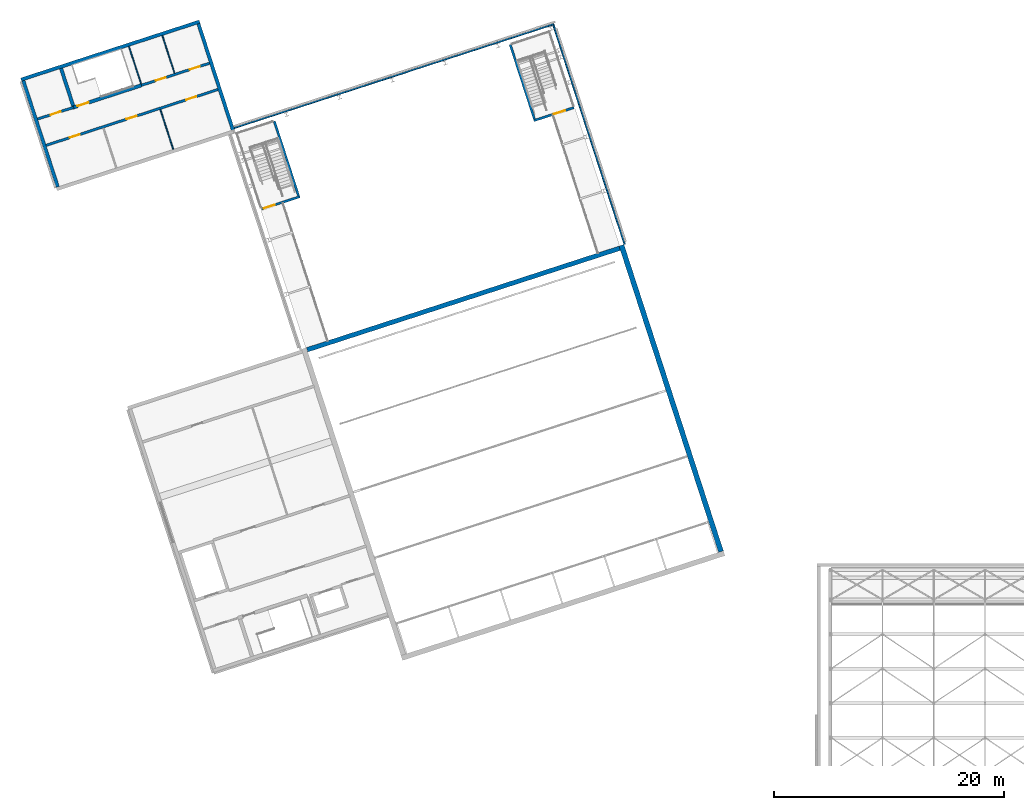
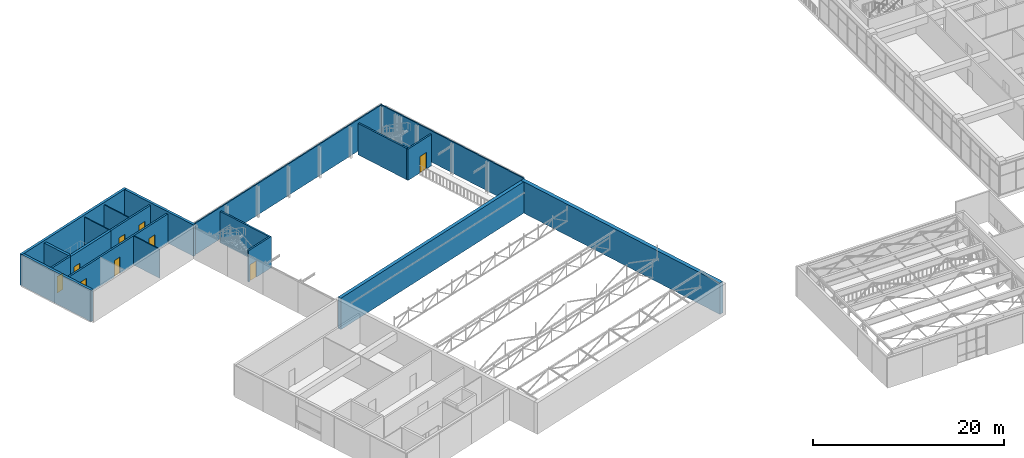
# One storey, part 72 of 81: 19 walls, 9 doors, 9 openings.
"""IFC4 building model written with IfcOpenShell, lengths in metres."""

from ifc_helpers import new_model, si_unit, direction, frame, frame_2d, origin, place, context, subcontext, project, spatial, rectangle, extrude, material, layer, layer_set, type_object, element, fill, save


model = new_model("IFC4")

# Units and contexts
model_context = context("Model", 3, precision=1e-05, world=origin(), true_north=direction((0.0, 1.0)))
body_context = subcontext(model_context, "Body", "Model", "MODEL_VIEW")
ifc_project = project(units=[si_unit("LENGTHUNIT", "METRE"), si_unit("AREAUNIT", "SQUARE_METRE"), si_unit("VOLUMEUNIT", "CUBIC_METRE"), si_unit("PLANEANGLEUNIT", "RADIAN"), si_unit("MASSUNIT", "GRAM", prefix="KILO")], contexts=[model_context])

# Site, building, storey
site_placement = place(None, origin())
site = spatial("IfcSite", under=ifc_project, at=site_placement, CompositionType="ELEMENT")
building_placement = place(site_placement, origin())
building = spatial("IfcBuilding", under=site, at=building_placement, Name="Tuart Plaza Theatre", CompositionType="ELEMENT")
storey_placement = place(building_placement, frame((0.0, 0.0, 17.5)))
storey = spatial("IfcBuildingStorey", under=building, at=storey_placement, Name="L04", CompositionType="ELEMENT", Elevation=17.5)

# Walls
ifc_material_1 = material(Name="Plasterboard on steel stud", Category="steel")
ifc_layer_1 = layer(ifc_material_1, 0.10009765625)
ifc_layer_set_1 = layer_set([ifc_layer_1], Name="PARTITION STD100")
wall_type_1 = type_object("IfcWallType", Name="PARTITION STD100", PredefinedType="PARTITIONING", material=ifc_layer_set_1)
wall_1_placement = place(storey_placement, frame((29.9375, 86.109130859375, 0.0), z_axis=(0.0, 0.0, 1.0), x_axis=(-0.308995076085, 0.9510636377, 0.0)))
element("IfcWall", 1, at=wall_1_placement, inside=storey, type_object=wall_type_1, Name="P283", PredefinedType="PARTITIONING", context=body_context, shape_type="SweptSolid", body=[
    extrude(rectangle(XDim=3.64013671875, YDim=0.10009765625, at=frame_2d((1.820068359375, 0.0))), origin(), (0.0, 0.0, 1.0), 3.699951171875),
])
wall_2_placement = place(storey_placement, frame((30.0478515625, 92.727294921875, 0.0), z_axis=(0.0, 0.0, 1.0), x_axis=(-0.309021877853, 0.951054929543, 0.0)))
element("IfcWall", 2, at=wall_2_placement, inside=storey, type_object=wall_type_1, Name="P284", PredefinedType="PARTITIONING", context=body_context, shape_type="SweptSolid", body=[
    extrude(rectangle(XDim=3.43994140625, YDim=0.10009765625, at=frame_2d((1.719970703125, 0.0))), origin(), (0.0, 0.0, 1.0), 3.699951171875),
])
ifc_material_2 = material(Name="Plasterboard on steel stud", Category="steel")
ifc_layer_2 = layer(ifc_material_2, 0.10009765625)
ifc_layer_set_2 = layer_set([ifc_layer_2], Name="PARTITION STD100 FRL 120/120/120")
wall_type_2 = type_object("IfcWallType", Name="PARTITION STD100 FRL 120/120/120", PredefinedType="PARTITIONING", material=ifc_layer_set_2)
wall_3_placement = place(storey_placement, frame((27.134765625, 91.82275390625, 0.0), z_axis=(0.0, 0.0, 1.0), x_axis=(-0.308980533303, 0.951068362443, 0.0)))
element("IfcWall", 3, at=wall_3_placement, inside=storey, type_object=wall_type_2, Name="P281", PredefinedType="PARTITIONING", context=body_context, shape_type="SweptSolid", body=[
    extrude(rectangle(XDim=3.39990234375, YDim=0.10009765625, at=frame_2d((1.699951171875, 0.0))), origin(), (0.0, 0.0, 1.0), 3.699951171875),
])
ifc_material_3 = material(Name="Concrete N50 (50 MPa)", Category="concrete")
ifc_layer_3 = layer(ifc_material_3, 0.39990234375)
ifc_layer_set_3 = layer_set([ifc_layer_3], Name="SHEAR WALL RC400 N50 FRL 120/120/120")
wall_type_3 = type_object("IfcWallType", Name="SHEAR WALL RC400 N50 FRL 120/120/120", PredefinedType="SHEAR", material=ifc_layer_set_3)
wall_4_placement = place(storey_placement, frame((41.5615234375, 68.69921875, 0.0), z_axis=(0.0, 0.0, 1.0), x_axis=(0.951058008754, 0.309012401021, 0.0)))
element("IfcWall", 4, at=wall_4_placement, inside=storey, type_object=wall_type_3, Name="W56", PredefinedType="SHEAR", context=body_context, shape_type="SweptSolid", body=[
    extrude(rectangle(XDim=28.5498046875, YDim=0.39990234375, at=frame_2d((14.27490234375, 0.0))), origin(), (0.0, 0.0, 1.0), 4.0),
])
ifc_material_4 = material(Name="Concrete N50 (50 MPa)", Category="concrete")
ifc_layer_4 = layer(ifc_material_4, 0.449951171875)
ifc_layer_set_4 = layer_set([ifc_layer_4], Name="SHEAR WALL RC450 N50 FRL 120/120/120")
wall_type_4 = type_object("IfcWallType", Name="SHEAR WALL RC450 N50 FRL 120/120/120", PredefinedType="SHEAR", material=ifc_layer_set_4)
wall_5_placement = place(storey_placement, frame((77.51123046875, 51.175537109375, 0.0), z_axis=(0.0, 0.0, 1.0), x_axis=(-0.309018780445, 0.951055935964, 0.0)))
element("IfcWall", 5, at=wall_5_placement, inside=storey, type_object=wall_type_4, Name="W38", PredefinedType="SHEAR", context=body_context, shape_type="SweptSolid", body=[
    extrude(rectangle(XDim=27.974853515625, YDim=0.449951171875, at=frame_2d((13.9873046875, 0.0))), origin(), (0.0, 0.0, 1.0), 4.0),
])

# Wall, opening, door
ifc_material_5 = material(Name="Concrete N40 (40 MPa)", Category="concrete")
ifc_layer_5 = layer(ifc_material_5, 0.199951171875)
ifc_layer_set_5 = layer_set([ifc_layer_5], Name="WALL RC200 LB FRL 120/120/120")
wall_type_5 = type_object("IfcWallType", Name="WALL RC200 LB FRL 120/120/120", PredefinedType="SOLIDWALL", material=ifc_layer_set_5)
wall_6_placement = place(storey_placement, frame((37.590576171875, 80.920166015625, 0.0), z_axis=(0.0, 0.0, 1.0), x_axis=(0.951052389726, 0.30902969436, 0.0)))
wall_6 = element("IfcWall", 6, at=wall_6_placement, inside=storey, type_object=wall_type_5, Name="W142", PredefinedType="SOLIDWALL", context=body_context, shape_type="SweptSolid", body=[
    extrude(rectangle(XDim=3.525146484375, YDim=0.199951171875, at=frame_2d((1.7626953125, 0.0))), origin(), (0.0, 0.0, 1.0), 4.0),
])
opening_1_placement = place(wall_6_placement, frame((0.22509765625, 0.0, 0.0)))
opening_1 = element("IfcOpeningElement", 7, at=opening_1_placement, cuts=wall_6, Name="Opening L04-020", PredefinedType="OPENING", context=body_context, shape_type="SweptSolid", body=[
    extrude(rectangle(XDim=1.0, YDim=2.10009765625, at=frame_2d((0.5, 1.050048828125))), frame((0.0, 0.10986328125, 0.0), z_axis=(0.0, -1.0, 0.0), x_axis=(1.0, 0.0, 0.0)), (0.0, 0.0, 1.0), 0.219970703125),
])
ifc_material_6 = material(Name="Timber", Category="wood")
door_type_1 = type_object("IfcDoorType", Name="DOOR 1000x2100 timber single swing FRL -/120/30", OperationType="SINGLE_SWING_LEFT", PredefinedType="DOOR", material=ifc_material_6)
door_1_placement = place(opening_1_placement, origin())
door_1 = element("IfcDoor", 8, at=door_1_placement, inside=storey, type_object=door_type_1, Name="L04-020", OperationType="SINGLE_SWING_LEFT", OverallHeight=2.10009765625, OverallWidth=1.0, PredefinedType="DOOR", context=body_context, shape_type="SweptSolid", body=[
    extrude(rectangle(XDim=1.0, YDim=2.10009765625, at=frame_2d((0.5, 1.050048828125))), frame((0.0, 0.02490234375, 0.0), z_axis=(0.0, -1.0, 0.0), x_axis=(1.0, 0.0, 0.0)), (0.0, 0.0, 1.0), 0.050048828125),
])
fill(opening_1, door_1)

# Wall
wall_7_placement = place(storey_placement, frame((40.817138671875, 82.07373046875, 0.0), z_axis=(0.0, 0.0, 1.0), x_axis=(-0.309028643499, 0.951052731186, 0.0)))
element("IfcWall", 9, at=wall_7_placement, inside=storey, type_object=wall_type_5, Name="W143", PredefinedType="SOLIDWALL", context=body_context, shape_type="SweptSolid", body=[
    extrude(rectangle(XDim=6.824951171875, YDim=0.199951171875, at=frame_2d((3.41259765625, 0.0))), origin(), (0.0, 0.0, 1.0), 4.0),
])

# Wall, opening, door
wall_8_placement = place(storey_placement, frame((64.743408203125, 89.74267578125, 0.0), z_axis=(0.0, 0.0, 1.0), x_axis=(-0.95104773735, -0.309044011885, 0.0)))
wall_8 = element("IfcWall", 10, at=wall_8_placement, inside=storey, type_object=wall_type_5, Name="W156", PredefinedType="SOLIDWALL", context=body_context, shape_type="SweptSolid", body=[
    extrude(rectangle(XDim=3.675048828125, YDim=0.199951171875, at=frame_2d((1.83740234375, 0.0))), origin(), (0.0, 0.0, 1.0), 4.0),
])
opening_2_placement = place(wall_8_placement, frame((0.824951171875, 0.0, 0.0)))
opening_2 = element("IfcOpeningElement", 11, at=opening_2_placement, cuts=wall_8, Name="Opening L04-021", PredefinedType="OPENING", context=body_context, shape_type="SweptSolid", body=[
    extrude(rectangle(XDim=1.0, YDim=2.10009765625, at=frame_2d((0.5, 1.050048828125))), frame((0.0, 0.10986328125, 0.0), z_axis=(0.0, -1.0, 0.0), x_axis=(1.0, 0.0, 0.0)), (0.0, 0.0, 1.0), 0.219970703125),
])
door_2_placement = place(opening_2_placement, frame((1.0, 0.0, 0.0), z_axis=(0.0, 0.0, 1.0), x_axis=(-1.0, 0.0, 0.0)))
door_2 = element("IfcDoor", 12, at=door_2_placement, inside=storey, type_object=door_type_1, Name="L04-021", OperationType="SINGLE_SWING_LEFT", OverallHeight=2.10009765625, OverallWidth=1.0, PredefinedType="DOOR", context=body_context, shape_type="SweptSolid", body=[
    extrude(rectangle(XDim=1.0, YDim=2.10009765625, at=frame_2d((0.5, 1.050048828125))), frame((0.0, 0.02490234375, 0.0), z_axis=(0.0, -1.0, 0.0), x_axis=(1.0, 0.0, 0.0)), (0.0, 0.0, 1.0), 0.050048828125),
])
fill(opening_2, door_2)

# Wall
wall_9_placement = place(storey_placement, frame((61.3125, 88.73291015625, 0.0), z_axis=(0.0, 0.0, 1.0), x_axis=(-0.309028643499, 0.951052731186, 0.0)))
element("IfcWall", 13, at=wall_9_placement, inside=storey, type_object=wall_type_5, Name="W157", PredefinedType="SOLIDWALL", context=body_context, shape_type="SweptSolid", body=[
    extrude(rectangle(XDim=6.824951171875, YDim=0.199951171875, at=frame_2d((3.41259765625, 0.0))), origin(), (0.0, 0.0, 1.0), 4.0),
])

# Wall, openings, doors
ifc_material_7 = material(Name="Concrete N40 (40 MPa)", Category="concrete")
ifc_layer_6 = layer(ifc_material_7, 0.219970703125)
ifc_layer_set_6 = layer_set([ifc_layer_6], Name="WALL RC220 LB FRL 120/120/120")
wall_type_6 = type_object("IfcWallType", Name="WALL RC220 LB FRL 120/120/120", PredefinedType="SOLIDWALL", material=ifc_layer_set_6)
wall_10_placement = place(storey_placement, frame((18.8876953125, 86.4619140625, 0.0), z_axis=(0.0, 0.0, 1.0), x_axis=(0.951056921306, 0.309015747878, 0.0)))
wall_10 = element("IfcWall", 14, at=wall_10_placement, inside=storey, type_object=wall_type_6, Name="W539", PredefinedType="SOLIDWALL", context=body_context, shape_type="SweptSolid", body=[
    extrude(rectangle(XDim=15.699951171875, YDim=0.219970703125, at=frame_2d((7.85009765625, 0.0))), origin(), (0.0, 0.0, 1.0), 3.699951171875),
])
opening_3_placement = place(wall_10_placement, frame((2.14990234375, 0.0, 0.0)))
opening_3 = element("IfcOpeningElement", 15, at=opening_3_placement, cuts=wall_10, Name="Opening L04-015", PredefinedType="OPENING", context=body_context, shape_type="SweptSolid", body=[
    extrude(rectangle(XDim=0.89990234375, YDim=2.10009765625, at=frame_2d((0.449951171875, 1.050048828125))), frame((0.0, 0.119873046875, 0.0), z_axis=(0.0, -1.0, 0.0), x_axis=(1.0, 0.0, 0.0)), (0.0, 0.0, 1.0), 0.239990234375),
])
opening_4_placement = place(wall_10_placement, frame((7.35009765625, 0.0, 0.0)))
opening_4 = element("IfcOpeningElement", 16, at=opening_4_placement, cuts=wall_10, Name="Opening L04-016", PredefinedType="OPENING", context=body_context, shape_type="SweptSolid", body=[
    extrude(rectangle(XDim=0.89990234375, YDim=2.10009765625, at=frame_2d((0.449951171875, 1.050048828125))), frame((0.0, 0.119873046875, 0.0), z_axis=(0.0, -1.0, 0.0), x_axis=(1.0, 0.0, 0.0)), (0.0, 0.0, 1.0), 0.239990234375),
])
opening_5_placement = place(wall_10_placement, frame((12.803955078125, 0.0, 0.0)))
opening_5 = element("IfcOpeningElement", 17, at=opening_5_placement, cuts=wall_10, Name="Opening L04-017", PredefinedType="OPENING", context=body_context, shape_type="SweptSolid", body=[
    extrude(rectangle(XDim=0.89990234375, YDim=2.10009765625, at=frame_2d((0.449951171875, 1.050048828125))), frame((0.0, 0.119873046875, 0.0), z_axis=(0.0, -1.0, 0.0), x_axis=(1.0, 0.0, 0.0)), (0.0, 0.0, 1.0), 0.239990234375),
])
ifc_material_8 = material(Name="Timber", Category="wood")
door_type_2 = type_object("IfcDoorType", Name="DOOR 900x2100 timber single swing FRL -/120/30", OperationType="SINGLE_SWING_LEFT", PredefinedType="DOOR", material=ifc_material_8)
door_3_placement = place(opening_3_placement, frame((0.89990234375, 0.0, 0.0), z_axis=(0.0, 0.0, 1.0), x_axis=(-1.0, 0.0, 0.0)))
door_3 = element("IfcDoor", 18, at=door_3_placement, inside=storey, type_object=door_type_2, Name="L04-015", OperationType="SINGLE_SWING_LEFT", OverallHeight=2.10009765625, OverallWidth=0.89990234375, PredefinedType="DOOR", context=body_context, shape_type="SweptSolid", body=[
    extrude(rectangle(XDim=0.89990234375, YDim=2.10009765625, at=frame_2d((0.449951171875, 1.050048828125))), frame((0.0, 0.02490234375, 0.0), z_axis=(0.0, -1.0, 0.0), x_axis=(1.0, 0.0, 0.0)), (0.0, 0.0, 1.0), 0.050048828125),
])
fill(opening_3, door_3)
door_4_placement = place(opening_4_placement, frame((0.89990234375, 0.0, 0.0), z_axis=(0.0, 0.0, 1.0), x_axis=(-1.0, 0.0, 0.0)))
door_4 = element("IfcDoor", 19, at=door_4_placement, inside=storey, type_object=door_type_2, Name="L04-016", OperationType="SINGLE_SWING_LEFT", OverallHeight=2.10009765625, OverallWidth=0.89990234375, PredefinedType="DOOR", context=body_context, shape_type="SweptSolid", body=[
    extrude(rectangle(XDim=0.89990234375, YDim=2.10009765625, at=frame_2d((0.449951171875, 1.050048828125))), frame((0.0, 0.02490234375, 0.0), z_axis=(0.0, -1.0, 0.0), x_axis=(1.0, 0.0, 0.0)), (0.0, 0.0, 1.0), 0.050048828125),
])
fill(opening_4, door_4)
door_5_placement = place(opening_5_placement, frame((0.89990234375, 0.0, 0.0), z_axis=(0.0, 0.0, 1.0), x_axis=(-1.0, 0.0, 0.0)))
door_5 = element("IfcDoor", 20, at=door_5_placement, inside=storey, type_object=door_type_2, Name="L04-017", OperationType="SINGLE_SWING_LEFT", OverallHeight=2.10009765625, OverallWidth=0.89990234375, PredefinedType="DOOR", context=body_context, shape_type="SweptSolid", body=[
    extrude(rectangle(XDim=0.89990234375, YDim=2.10009765625, at=frame_2d((0.449951171875, 1.050048828125))), frame((0.0, 0.02490234375, 0.0), z_axis=(0.0, -1.0, 0.0), x_axis=(1.0, 0.0, 0.0)), (0.0, 0.0, 1.0), 0.050048828125),
])
fill(opening_5, door_5)

# Wall, opening, door
wall_11_placement = place(storey_placement, frame((18.146240234375, 88.744384765625, 0.0), z_axis=(0.0, 0.0, 1.0), x_axis=(0.951053095941, 0.309027520945, 0.0)))
wall_11 = element("IfcWall", 21, at=wall_11_placement, inside=storey, type_object=wall_type_6, Name="W540", PredefinedType="SOLIDWALL", context=body_context, shape_type="SweptSolid", body=[
    extrude(rectangle(XDim=3.300048828125, YDim=0.219970703125, at=frame_2d((1.64990234375, 0.0))), origin(), (0.0, 0.0, 1.0), 3.699951171875),
])
opening_6_placement = place(wall_11_placement, frame((1.199951171875, 0.0, 0.0)))
opening_6 = element("IfcOpeningElement", 22, at=opening_6_placement, cuts=wall_11, Name="Opening L04-008", PredefinedType="OPENING", context=body_context, shape_type="SweptSolid", body=[
    extrude(rectangle(XDim=0.89990234375, YDim=2.10009765625, at=frame_2d((0.449951171875, 1.050048828125))), frame((0.0, 0.119873046875, 0.0), z_axis=(0.0, -1.0, 0.0), x_axis=(1.0, 0.0, 0.0)), (0.0, 0.0, 1.0), 0.239990234375),
])
door_6_placement = place(opening_6_placement, origin())
door_6 = element("IfcDoor", 23, at=door_6_placement, inside=storey, type_object=door_type_2, Name="L04-008", OperationType="SINGLE_SWING_LEFT", OverallHeight=2.10009765625, OverallWidth=0.89990234375, PredefinedType="DOOR", context=body_context, shape_type="SweptSolid", body=[
    extrude(rectangle(XDim=0.89990234375, YDim=2.10009765625, at=frame_2d((0.449951171875, 1.050048828125))), frame((0.0, 0.02490234375, 0.0), z_axis=(0.0, -1.0, 0.0), x_axis=(1.0, 0.0, 0.0)), (0.0, 0.0, 1.0), 0.050048828125),
])
fill(opening_6, door_6)

# Wall, openings, doors
wall_12_placement = place(storey_placement, frame((27.18115234375, 91.68017578125, 0.0), z_axis=(0.0, 0.0, 1.0), x_axis=(0.95106184554, 0.309000592164, 0.0)))
wall_12 = element("IfcWall", 24, at=wall_12_placement, inside=storey, type_object=wall_type_6, Name="W541", PredefinedType="SOLIDWALL", context=body_context, shape_type="SweptSolid", body=[
    extrude(rectangle(XDim=6.199951171875, YDim=0.219970703125, at=frame_2d((3.10009765625, 0.0))), origin(), (0.0, 0.0, 1.0), 3.699951171875),
])
opening_7_placement = place(wall_12_placement, frame((1.29296875, 0.0, 0.0)))
opening_7 = element("IfcOpeningElement", 25, at=opening_7_placement, cuts=wall_12, Name="Opening L04-009", PredefinedType="OPENING", context=body_context, shape_type="SweptSolid", body=[
    extrude(rectangle(XDim=0.89990234375, YDim=2.10009765625, at=frame_2d((0.449951171875, 1.050048828125))), frame((0.0, 0.119873046875, 0.0), z_axis=(0.0, -1.0, 0.0), x_axis=(1.0, 0.0, 0.0)), (0.0, 0.0, 1.0), 0.239990234375),
])
opening_8_placement = place(wall_12_placement, frame((4.39990234375, 0.0, 0.0)))
opening_8 = element("IfcOpeningElement", 26, at=opening_8_placement, cuts=wall_12, Name="Opening L04-010", PredefinedType="OPENING", context=body_context, shape_type="SweptSolid", body=[
    extrude(rectangle(XDim=0.89990234375, YDim=2.10009765625, at=frame_2d((0.449951171875, 1.050048828125))), frame((0.0, 0.119873046875, 0.0), z_axis=(0.0, -1.0, 0.0), x_axis=(1.0, 0.0, 0.0)), (0.0, 0.0, 1.0), 0.239990234375),
])
door_7_placement = place(opening_7_placement, origin())
door_7 = element("IfcDoor", 27, at=door_7_placement, inside=storey, type_object=door_type_2, Name="L04-009", OperationType="SINGLE_SWING_RIGHT", OverallHeight=2.10009765625, OverallWidth=0.89990234375, PredefinedType="DOOR", context=body_context, shape_type="SweptSolid", body=[
    extrude(rectangle(XDim=0.89990234375, YDim=2.10009765625, at=frame_2d((0.449951171875, 1.050048828125))), frame((0.0, 0.02490234375, 0.0), z_axis=(0.0, -1.0, 0.0), x_axis=(1.0, 0.0, 0.0)), (0.0, 0.0, 1.0), 0.050048828125),
])
fill(opening_7, door_7)
door_8_placement = place(opening_8_placement, origin())
door_8 = element("IfcDoor", 28, at=door_8_placement, inside=storey, type_object=door_type_2, Name="L04-010", OperationType="SINGLE_SWING_LEFT", OverallHeight=2.10009765625, OverallWidth=0.89990234375, PredefinedType="DOOR", context=body_context, shape_type="SweptSolid", body=[
    extrude(rectangle(XDim=0.89990234375, YDim=2.10009765625, at=frame_2d((0.449951171875, 1.050048828125))), frame((0.0, 0.02490234375, 0.0), z_axis=(0.0, -1.0, 0.0), x_axis=(1.0, 0.0, 0.0)), (0.0, 0.0, 1.0), 0.050048828125),
])
fill(opening_8, door_8)

# Walls
ifc_material_9 = material(Name="Concrete N40 (40 MPa)", Category="concrete")
ifc_layer_7 = layer(ifc_material_9, 0.300048828125)
ifc_layer_set_7 = layer_set([ifc_layer_7], Name="WALL RC300 LB FRL 120/120/120")
wall_type_7 = type_object("IfcWallType", Name="WALL RC300 LB FRL 120/120/120", PredefinedType="SOLIDWALL", material=ifc_layer_set_7)
wall_13_placement = place(storey_placement, frame((19.90380859375, 82.84912109375, 0.0), z_axis=(0.0, 0.0, 1.0), x_axis=(-0.309000135, 0.951061994073, 0.0)))
element("IfcWall", 29, at=wall_13_placement, inside=storey, type_object=wall_type_7, Name="W94", PredefinedType="SOLIDWALL", context=body_context, shape_type="SweptSolid", body=[
    extrude(rectangle(XDim=9.699951171875, YDim=0.300048828125, at=frame_2d((4.85009765625, 0.0))), origin(), (0.0, 0.0, 1.0), 4.0),
])
wall_14_placement = place(storey_placement, frame((16.717529296875, 92.170654296875, 0.0), z_axis=(0.0, 0.0, 1.0), x_axis=(0.951058391285, 0.309011223689, 0.0)))
element("IfcWall", 30, at=wall_14_placement, inside=storey, type_object=wall_type_7, Name="W95", PredefinedType="SOLIDWALL", context=body_context, shape_type="SweptSolid", body=[
    extrude(rectangle(XDim=16.300048828125, YDim=0.300048828125, at=frame_2d((8.14990234375, 0.0))), origin(), (0.0, 0.0, 1.0), 4.0),
])
wall_15_placement = place(storey_placement, frame((32.123291015625, 97.0185546875, 0.0), z_axis=(0.0, 0.0, 1.0), x_axis=(0.309030297822, -0.95105219364, 0.0)))
element("IfcWall", 31, at=wall_15_placement, inside=storey, type_object=wall_type_7, Name="W96", PredefinedType="SOLIDWALL", context=body_context, shape_type="SweptSolid", body=[
    extrude(rectangle(XDim=9.699951171875, YDim=0.300048828125, at=frame_2d((4.85009765625, 0.0))), origin(), (0.0, 0.0, 1.0), 4.0),
])

# Wall, opening, door
wall_16_placement = place(storey_placement, frame((27.18115234375, 91.68017578125, 0.0), z_axis=(0.0, 0.0, 1.0), x_axis=(-0.951051301895, -0.309033042189, 0.0)))
wall_16 = element("IfcWall", 32, at=wall_16_placement, inside=storey, type_object=wall_type_7, Name="W123", PredefinedType="SOLIDWALL", context=body_context, shape_type="SweptSolid", body=[
    extrude(rectangle(XDim=6.35009765625, YDim=0.300048828125, at=frame_2d((3.175048828125, 0.0))), origin(), (0.0, 0.0, 1.0), 3.699951171875),
])
opening_9_placement = place(wall_16_placement, frame((4.85009765625, 0.0, 0.0)))
opening_9 = element("IfcOpeningElement", 33, at=opening_9_placement, cuts=wall_16, Name="Opening L04-019", PredefinedType="OPENING", context=body_context, shape_type="SweptSolid", body=[
    extrude(rectangle(XDim=1.0, YDim=2.10009765625, at=frame_2d((0.5, 1.050048828125))), frame((0.0, 0.159912109375, 0.0), z_axis=(0.0, -1.0, 0.0), x_axis=(1.0, 0.0, 0.0)), (0.0, 0.0, 1.0), 0.320068359375),
])
door_9_placement = place(opening_9_placement, frame((1.0, 0.0, 0.0), z_axis=(0.0, 0.0, 1.0), x_axis=(-1.0, 0.0, 0.0)))
door_9 = element("IfcDoor", 34, at=door_9_placement, inside=storey, type_object=door_type_1, Name="L04-019", OperationType="SINGLE_SWING_RIGHT", OverallHeight=2.10009765625, OverallWidth=1.0, PredefinedType="DOOR", context=body_context, shape_type="SweptSolid", body=[
    extrude(rectangle(XDim=1.0, YDim=2.10009765625, at=frame_2d((0.5, 1.050048828125))), frame((0.0, 0.02490234375, 0.0), z_axis=(0.0, -1.0, 0.0), x_axis=(1.0, 0.0, 0.0)), (0.0, 0.0, 1.0), 0.050048828125),
])
fill(opening_9, door_9)

# Walls
wall_17_placement = place(storey_placement, frame((21.23828125, 89.906982421875, 0.0), z_axis=(0.0, 0.0, 1.0), x_axis=(-0.309066587596, 0.951040401051, 0.0)))
element("IfcWall", 35, at=wall_17_placement, inside=storey, type_object=wall_type_7, Name="W124", PredefinedType="SOLIDWALL", context=body_context, shape_type="SweptSolid", body=[
    extrude(rectangle(XDim=3.39990234375, YDim=0.300048828125, at=frame_2d((1.699951171875, 0.0))), origin(), (0.0, 0.0, 1.0), 3.699951171875),
])
ifc_material_10 = material(Name="Zinc")
ifc_layer_8 = layer(ifc_material_10, 0.139892578125)
ifc_layer_set_8 = layer_set([ifc_layer_8], Name="WALL ZIN140 ZINC EXT")
wall_type_8 = type_object("IfcWallType", Name="WALL ZIN140 ZINC EXT", PredefinedType="SOLIDWALL", material=ifc_layer_set_8)
wall_18_placement = place(storey_placement, frame((69.14697265625, 77.87255859375, 0.0), z_axis=(0.0, 0.0, 1.0), x_axis=(-0.309027903543, 0.951052971622, 0.0)))
element("IfcWall", 36, at=wall_18_placement, inside=storey, type_object=wall_type_8, Name="P15", PredefinedType="SOLIDWALL", context=body_context, shape_type="SweptSolid", body=[
    extrude(rectangle(XDim=20.02490234375, YDim=0.139892578125, at=frame_2d((10.012451171875, 0.0))), origin(), (0.0, 0.0, 1.0), 4.0),
])
wall_19_placement = place(storey_placement, frame((35.21875, 87.9775390625, 0.0), z_axis=(0.0, 0.0, 1.0), x_axis=(0.951055192004, 0.309021070093, 0.0)))
element("IfcWall", 37, at=wall_19_placement, inside=storey, type_object=wall_type_8, Name="P16", PredefinedType="SOLIDWALL", context=body_context, shape_type="SweptSolid", body=[
    extrude(rectangle(XDim=29.215087890625, YDim=0.139892578125, at=frame_2d((14.607421875, 0.0))), origin(), (0.0, 0.0, 1.0), 4.0),
])

save(model, "model.ifc")
